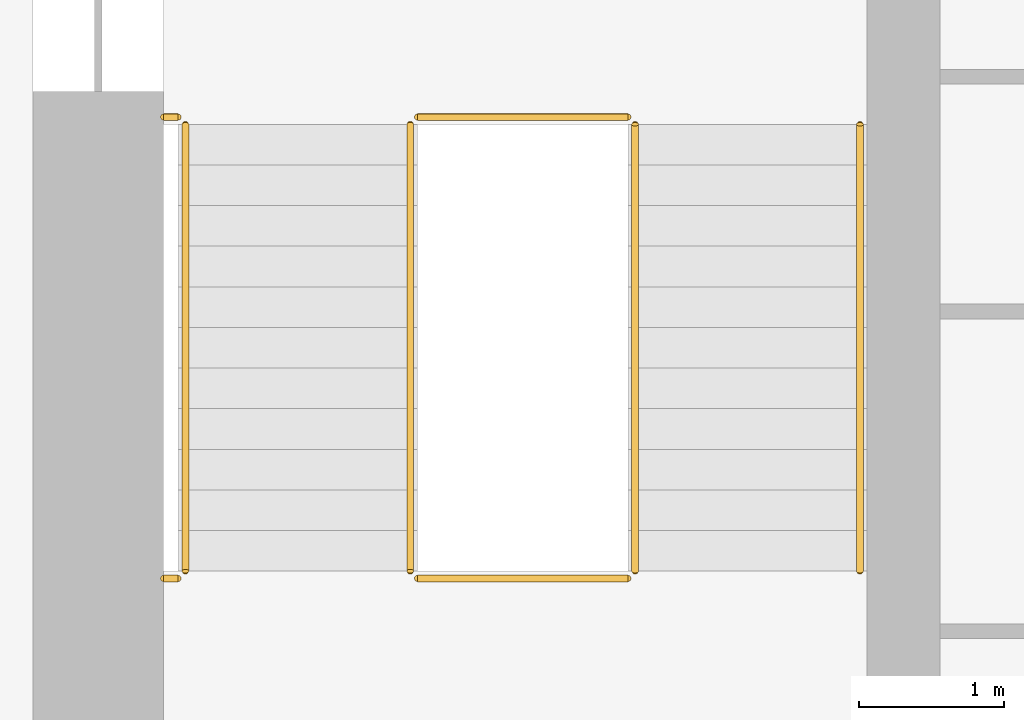
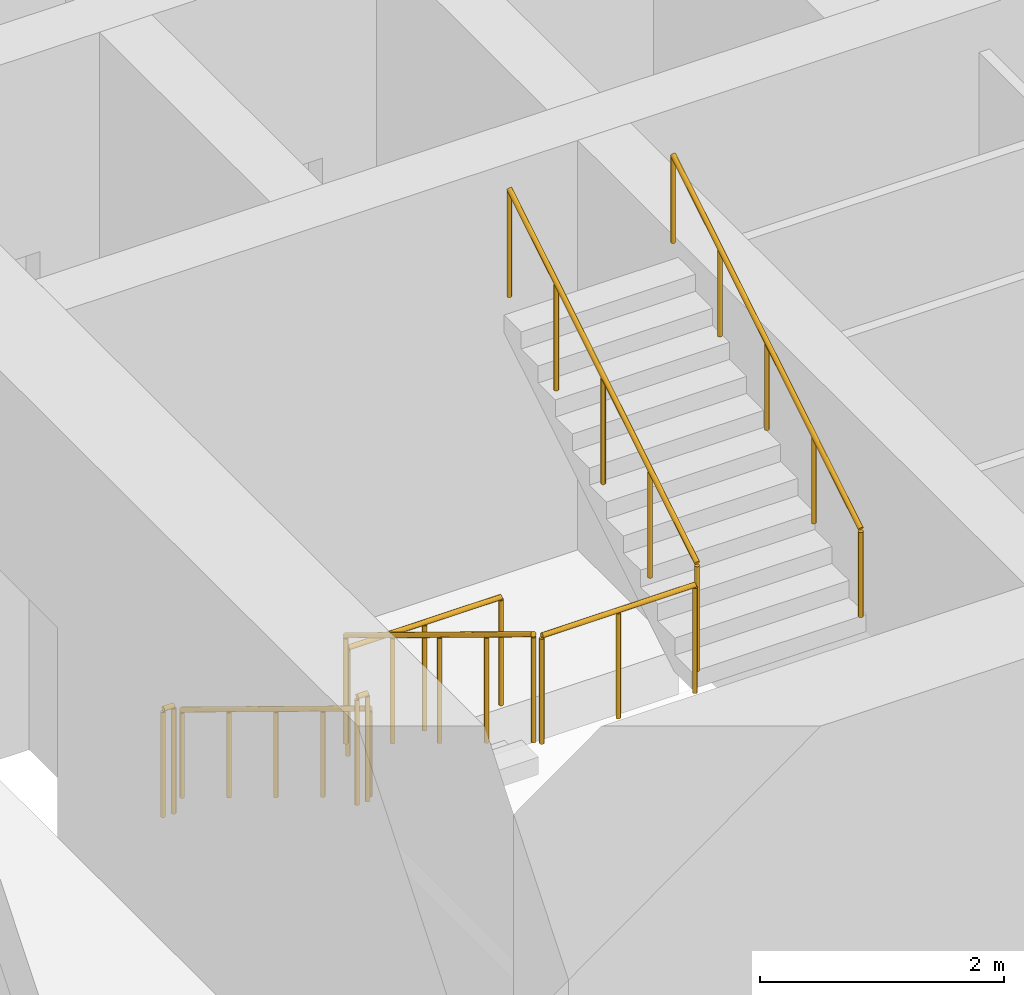
# One storey, part 11 of 19: 8 railings.
"""IFC4 building model written with IfcOpenShell, lengths in metres."""

import ifcopenshell
import ifcopenshell.guid

model = None  # the IFC model being written
_history = None  # IfcOwnerHistory: only IFC2X3 demands one
_inside = {}  # id of a spatial element -> (the spatial element, [elements in it])
_under = {}  # id of a project, library or spatial element -> (it, [spatial elements below it])
_declared = {}  # id of a project -> (the project, [libraries it declares])
_typed = {}  # id of a type object -> (the type object, [elements of that type])
_made_of = {}  # id of a material, layer set ... -> (it, [elements and type objects made of it])


def new_model(schema):
    """Start an empty IFC model of exactly this schema.

    Asked for "IFC4X3", IfcOpenShell would pick the latest addendum, in which some entities
    have other attributes; the version numbers below select the first issue.
    IFC2X3 requires an IfcOwnerHistory on every rooted entity: one is made here for all.
    """
    global model, _history
    if schema == "IFC4X3":
        model = ifcopenshell.file(schema_version=(4, 3, 0, 0))
    else:
        model = ifcopenshell.file(schema=schema)
    _inside.clear()
    _under.clear()
    _declared.clear()
    _typed.clear()
    _made_of.clear()
    _history = None
    if model.schema == "IFC2X3":
        org = make("IfcOrganization", Name="unknown")
        user = make(
            "IfcPersonAndOrganization",
            ThePerson=make("IfcPerson", FamilyName="unknown"),
            TheOrganization=org,
        )
        app = make(
            "IfcApplication",
            ApplicationDeveloper=org,
            Version="unknown",
            ApplicationFullName="unknown",
            ApplicationIdentifier="unknown",
        )
        _history = make(
            "IfcOwnerHistory",
            OwningUser=user,
            OwningApplication=app,
            ChangeAction="ADDED",
            CreationDate=0,
        )
    return model


def make(cls, **values):
    """One entity of the class cls with the attributes given. An attribute that is None is left unset."""
    return model.create_entity(
        cls, **{name: value for name, value in values.items() if value is not None}
    )


def rooted(cls, **values):
    """An entity with a GlobalId (a new one), such as an element, a storey or a relation."""
    return make(cls, GlobalId=ifcopenshell.guid.new(), OwnerHistory=_history, **values)


def si_unit(unit_type, name, prefix=None):
    """IfcSIUnit, for example si_unit("LENGTHUNIT", "METRE", prefix="MILLI")."""
    return make("IfcSIUnit", UnitType=unit_type, Prefix=prefix, Name=name)


def assignment(units):
    """IfcUnitAssignment: the units of a project."""
    return None if units is None else make("IfcUnitAssignment", Units=units)


def point(xyz):
    """IfcCartesianPoint."""
    return None if xyz is None else make("IfcCartesianPoint", Coordinates=xyz)


def direction(xyz):
    """IfcDirection."""
    return None if xyz is None else make("IfcDirection", DirectionRatios=xyz)


def frame(location, z_axis=None, x_axis=None):
    """IfcAxis2Placement3D, a coordinate frame: its origin and axes. An axis left out is left unset."""
    return make(
        "IfcAxis2Placement3D",
        Location=point(location),
        Axis=direction(z_axis),
        RefDirection=direction(x_axis),
    )


def frame_2d(location, x_axis=None):
    """IfcAxis2Placement2D, a coordinate frame in the plane: its origin and x axis."""
    return make(
        "IfcAxis2Placement2D", Location=point(location), RefDirection=direction(x_axis)
    )


def origin():
    """The frame at (0, 0, 0) with its axes left unset."""
    return frame((0.0, 0.0, 0.0))


def origin_2d():
    """The frame at (0, 0) in the plane with its x axis left unset."""
    return frame_2d((0.0, 0.0))


def place(relative_to, where):
    """IfcLocalPlacement: puts the frame where relative to a parent placement (None: the world)."""
    return make(
        "IfcLocalPlacement", PlacementRelTo=relative_to, RelativePlacement=where
    )


def context(
    kind, dimensions, precision=None, world=None, true_north=None, identifier=None
):
    """IfcGeometricRepresentationContext, for example the 3D "Model" context."""
    return make(
        "IfcGeometricRepresentationContext",
        ContextIdentifier=identifier,
        ContextType=kind,
        CoordinateSpaceDimension=dimensions,
        Precision=precision,
        WorldCoordinateSystem=world,
        TrueNorth=true_north,
    )


def subcontext(parent, identifier, kind, view, scale=None):
    """IfcGeometricRepresentationSubContext, for example "Body" below "Model"."""
    return make(
        "IfcGeometricRepresentationSubContext",
        ContextIdentifier=identifier,
        ContextType=kind,
        ParentContext=parent,
        TargetScale=scale,
        TargetView=view,
    )


def project(units=None, contexts=None):
    """IfcProject with its units and contexts."""
    return rooted(
        "IfcProject",
        Name="project",
        RepresentationContexts=contexts,
        UnitsInContext=assignment(units),
    )


def spatial(cls, under=None, at=None, **own):
    """A site, building, storey or space (cls), placed at a placement, below another one or the project."""
    s = rooted(cls, ObjectPlacement=at, **own)
    if under is not None:
        _under.setdefault(under.id(), (under, []))[1].append(s)
    return s


def profile(cls, at=None, kind="AREA", **sizes):
    """A parametric profile (cls). Its sizes go by their IFC names, for example OverallWidth=200.0."""
    return make(cls, ProfileType=kind, Position=at, **sizes)


def circle(**sizes):
    """IfcCircleProfileDef."""
    return profile("IfcCircleProfileDef", **sizes)


def extrude(swept, where, along, depth):
    """IfcExtrudedAreaSolid: the profile swept, set in the frame where, extruded along a direction by depth."""
    return make(
        "IfcExtrudedAreaSolid",
        SweptArea=swept,
        Position=where,
        ExtrudedDirection=direction(along),
        Depth=depth,
    )


def shape(context_of_items, identifier, shape_type, items):
    """IfcShapeRepresentation: the items that make up one representation, for example the "Body"."""
    return make(
        "IfcShapeRepresentation",
        ContextOfItems=context_of_items,
        RepresentationIdentifier=identifier,
        RepresentationType=shape_type,
        Items=items,
    )


def material(Name=None, Category=None):
    """IfcMaterial."""
    return make("IfcMaterial", Name=Name, Category=Category)


def made_of(thing, what):
    """Note that an element or type object is made of a material, layer set ...; save() writes the relation."""
    if what is not None:
        _made_of.setdefault(what.id(), (what, []))[1].append(thing)
    return thing


def type_object(cls, material=None, **own):
    """A type object (cls), such as IfcWallType, which elements share."""
    return made_of(rooted(cls, **own), material)


def element(
    cls,
    number,
    at=None,
    inside=None,
    cuts=None,
    type_object=None,
    material=None,
    context=None,
    identifier="Body",
    shape_type=None,
    held_by="IfcProductDefinitionShape",
    body=None,
    shapes=None,
    **own,
):
    """One element of the class cls, such as IfcWall. Its Tag is "e" and its number.

    at: its placement. inside: the storey or other place that contains it. cuts: it is an
    opening in that element (IfcRelVoidsElement). A single representation is given by context,
    identifier, shape_type and body (its items); several are given by shapes. held_by: the class
    of the entity that holds the representations. save() writes the other relations.
    """
    e = rooted(cls, Tag="e%d" % number, ObjectPlacement=at, **own)
    if body is not None:
        shapes = [shape(context, identifier, shape_type, body)]
    if shapes is not None:
        e.Representation = make(held_by, Representations=shapes)
    if inside is not None:
        _inside.setdefault(inside.id(), (inside, []))[1].append(e)
    if cuts is not None:
        rooted(
            "IfcRelVoidsElement", RelatingBuildingElement=cuts, RelatedOpeningElement=e
        )
    if type_object is not None:
        _typed.setdefault(type_object.id(), (type_object, []))[1].append(e)
    return made_of(e, material)


def aggregate(whole, parts):
    """IfcRelAggregates: a whole, such as a stair, and the parts it consists of."""
    return rooted("IfcRelAggregates", RelatingObject=whole, RelatedObjects=parts)


def save(model, path):
    """Write the relations noted so far, then the file.

    IfcRelAggregates (storeys below a building ...), IfcRelContainedInSpatialStructure (elements
    in a storey), IfcRelDefinesByType, IfcRelAssociatesMaterial and IfcRelDeclares: one each for
    every whole, place, type object, material and project.
    """
    for whole, parts in _under.values():
        aggregate(whole, parts)
    for where, things in _inside.values():
        rooted(
            "IfcRelContainedInSpatialStructure",
            RelatedElements=things,
            RelatingStructure=where,
        )
    for kind, things in _typed.values():
        rooted("IfcRelDefinesByType", RelatedObjects=things, RelatingType=kind)
    for what, things in _made_of.values():
        rooted("IfcRelAssociatesMaterial", RelatedObjects=things, RelatingMaterial=what)
    for by, libraries in _declared.values():
        rooted("IfcRelDeclares", RelatingContext=by, RelatedDefinitions=libraries)
    model.write(path)


model = new_model("IFC4")

# Units and contexts
model_context = context("Model", 3, precision=1e-05, world=origin(), true_north=direction((0.0, 1.0)))
body_context = subcontext(model_context, "Body", "Model", "MODEL_VIEW")
ifc_project = project(units=[si_unit("LENGTHUNIT", "METRE"), si_unit("AREAUNIT", "SQUARE_METRE"), si_unit("VOLUMEUNIT", "CUBIC_METRE"), si_unit("PLANEANGLEUNIT", "RADIAN"), si_unit("MASSUNIT", "GRAM", prefix="KILO")], contexts=[model_context])

# Site, building, storey
site_placement = place(None, origin())
site = spatial("IfcSite", under=ifc_project, at=site_placement, CompositionType="ELEMENT")
building_placement = place(site_placement, origin())
building = spatial("IfcBuilding", under=site, at=building_placement, Name="Corbel Stack Research Tower", CompositionType="ELEMENT")
storey_placement = place(building_placement, frame((0.0, 0.0, 124.89990234375)))
storey = spatial("IfcBuildingStorey", under=building, at=storey_placement, Name="L28", CompositionType="ELEMENT", Elevation=124.89990234375)

# Railings
ifc_material_1 = material(Name="Steel S355", Category="steel")
railing_type_1 = type_object("IfcRailingType", Name="Stair guard 1100", PredefinedType="GUARDRAIL", material=ifc_material_1)
railing_1_placement = place(storey_placement, frame((-7.89990234375, -2.39990234375, 0.1708984375)))
element("IfcRailing", 1, at=railing_1_placement, inside=storey, type_object=railing_type_1, Name="L28 ST-W1 stair guard 1", PredefinedType="GUARDRAIL", context=body_context, shape_type="SweptSolid", body=[
    extrude(circle(Radius=0.02392578125, at=origin_2d()), frame((0.0, 0.0, 1.076171875), z_axis=(0.0, -0.853666305674, 0.52082035152), x_axis=(1.0, 0.0, 0.0)), (0.0, 0.0, 1.0), 3.608154296875),
    extrude(circle(Radius=0.02099609375, at=origin_2d()), origin(), (0.0, 0.0, 1.0), 1.052001953125),
    extrude(circle(Radius=0.02099609375, at=origin_2d()), frame((0.0, -0.77001953125, 0.4697265625)), (0.0, 0.0, 1.0), 1.052001953125),
    extrude(circle(Radius=0.02099609375, at=origin_2d()), frame((0.0, -1.5400390625, 0.939453125)), (0.0, 0.0, 1.0), 1.052001953125),
    extrude(circle(Radius=0.02099609375, at=origin_2d()), frame((0.0, -2.31005859375, 1.409423828125)), (0.0, 0.0, 1.0), 1.052001953125),
    extrude(circle(Radius=0.02099609375, at=origin_2d()), frame((0.0, -3.080078125, 1.879150390625)), (0.0, 0.0, 1.0), 1.052001953125),
])
railing_2_placement = place(storey_placement, frame((-7.85009765625, -5.530029296875, 2.050048828125)))
element("IfcRailing", 2, at=railing_2_placement, inside=storey, type_object=railing_type_1, Name="L28 ST-W1 stair guard 2", PredefinedType="GUARDRAIL", context=body_context, shape_type="SweptSolid", body=[
    extrude(circle(Radius=0.02392578125, at=origin_2d()), frame((0.0, 0.0, 1.076171875), z_axis=(1.0, 0.0, 0.0), x_axis=(0.0, 1.0, 0.0)), (0.0, 0.0, 1.0), 1.4501953125),
    extrude(circle(Radius=0.02099609375, at=origin_2d()), origin(), (0.0, 0.0, 1.0), 1.052001953125),
    extrude(circle(Radius=0.02099609375, at=origin_2d()), frame((0.72509765625, 0.0, 0.0)), (0.0, 0.0, 1.0), 1.052001953125),
    extrude(circle(Radius=0.02099609375, at=origin_2d()), frame((1.4501953125, 0.0, 0.0)), (0.0, 0.0, 1.0), 1.052001953125),
])
railing_3_placement = place(storey_placement, frame((-9.60009765625, -5.530029296875, 2.050048828125)))
element("IfcRailing", 3, at=railing_3_placement, inside=storey, type_object=railing_type_1, Name="L28 ST-W1 stair guard 3", PredefinedType="GUARDRAIL", context=body_context, shape_type="SweptSolid", body=[
    extrude(circle(Radius=0.02392578125, at=origin_2d()), frame((0.0, 0.0, 1.076171875), z_axis=(1.0, 0.0, 0.0), x_axis=(0.0, 1.0, 0.0)), (0.0, 0.0, 1.0), 0.10009765625),
    extrude(circle(Radius=0.02099609375, at=origin_2d()), origin(), (0.0, 0.0, 1.0), 1.052001953125),
    extrude(circle(Radius=0.02099609375, at=origin_2d()), frame((0.10009765625, 0.0, 0.0)), (0.0, 0.0, 1.0), 1.052001953125),
])
railing_4_placement = place(storey_placement, frame((-6.35009765625, -5.47998046875, 2.220947265625)))
element("IfcRailing", 4, at=railing_4_placement, inside=storey, type_object=railing_type_1, Name="L28 ST-W1 stair guard 4", PredefinedType="GUARDRAIL", context=body_context, shape_type="SweptSolid", body=[
    extrude(circle(Radius=0.02392578125, at=origin_2d()), frame((0.0, 0.0, 1.076171875), z_axis=(0.0, 0.853666305674, 0.52082035152), x_axis=(-1.0, 0.0, 0.0)), (0.0, 0.0, 1.0), 3.608154296875),
    extrude(circle(Radius=0.02099609375, at=origin_2d()), origin(), (0.0, 0.0, 1.0), 1.052001953125),
    extrude(circle(Radius=0.02099609375, at=origin_2d()), frame((0.0, 0.77001953125, 0.4697265625)), (0.0, 0.0, 1.0), 1.052001953125),
    extrude(circle(Radius=0.02099609375, at=origin_2d()), frame((0.0, 1.5400390625, 0.939453125)), (0.0, 0.0, 1.0), 1.052001953125),
    extrude(circle(Radius=0.02099609375, at=origin_2d()), frame((0.0, 2.31005859375, 1.409423828125)), (0.0, 0.0, 1.0), 1.052001953125),
    extrude(circle(Radius=0.02099609375, at=origin_2d()), frame((0.0, 3.080078125, 1.879150390625)), (0.0, 0.0, 1.0), 1.052001953125),
])
railing_5_placement = place(storey_placement, frame((-7.85009765625, -2.35009765625, 0.0)))
element("IfcRailing", 5, at=railing_5_placement, inside=storey, type_object=railing_type_1, Name="L28 ST-W1 stair guard 5", PredefinedType="GUARDRAIL", context=body_context, shape_type="SweptSolid", body=[
    extrude(circle(Radius=0.02392578125, at=origin_2d()), frame((0.0, 0.0, 1.076171875), z_axis=(1.0, 0.0, 0.0), x_axis=(0.0, 1.0, 0.0)), (0.0, 0.0, 1.0), 1.4501953125),
    extrude(circle(Radius=0.02099609375, at=origin_2d()), origin(), (0.0, 0.0, 1.0), 1.052001953125),
    extrude(circle(Radius=0.02099609375, at=origin_2d()), frame((0.72509765625, 0.0, 0.0)), (0.0, 0.0, 1.0), 1.052001953125),
    extrude(circle(Radius=0.02099609375, at=origin_2d()), frame((1.4501953125, 0.0, 0.0)), (0.0, 0.0, 1.0), 1.052001953125),
])
railing_6_placement = place(storey_placement, frame((-9.60009765625, -2.35009765625, 0.0)))
element("IfcRailing", 6, at=railing_6_placement, inside=storey, type_object=railing_type_1, Name="L28 ST-W1 stair guard 6", PredefinedType="GUARDRAIL", context=body_context, shape_type="SweptSolid", body=[
    extrude(circle(Radius=0.02392578125, at=origin_2d()), frame((0.0, 0.0, 1.076171875), z_axis=(1.0, 0.0, 0.0), x_axis=(0.0, 1.0, 0.0)), (0.0, 0.0, 1.0), 0.10009765625),
    extrude(circle(Radius=0.02099609375, at=origin_2d()), origin(), (0.0, 0.0, 1.0), 1.052001953125),
    extrude(circle(Radius=0.02099609375, at=origin_2d()), frame((0.10009765625, 0.0, 0.0)), (0.0, 0.0, 1.0), 1.052001953125),
])
ifc_material_2 = material(Name="Steel S355", Category="steel")
railing_type_2 = type_object("IfcRailingType", Name="Stair handrail 900", PredefinedType="HANDRAIL", material=ifc_material_2)
railing_7_placement = place(storey_placement, frame((-9.449951171875, -2.39990234375, 0.1708984375)))
element("IfcRailing", 7, at=railing_7_placement, inside=storey, type_object=railing_type_2, Name="L28 ST-W1 stair handrail 1", PredefinedType="HANDRAIL", context=body_context, shape_type="SweptSolid", body=[
    extrude(circle(Radius=0.02392578125, at=origin_2d()), frame((0.0, 0.0, 0.8759765625), z_axis=(0.0, -0.853666305674, 0.52082035152), x_axis=(1.0, 0.0, 0.0)), (0.0, 0.0, 1.0), 3.608154296875),
    extrude(circle(Radius=0.02099609375, at=origin_2d()), origin(), (0.0, 0.0, 1.0), 0.851806640625),
    extrude(circle(Radius=0.02099609375, at=origin_2d()), frame((0.0, -0.77001953125, 0.4697265625)), (0.0, 0.0, 1.0), 0.851806640625),
    extrude(circle(Radius=0.02099609375, at=origin_2d()), frame((0.0, -1.5400390625, 0.939453125)), (0.0, 0.0, 1.0), 0.851806640625),
    extrude(circle(Radius=0.02099609375, at=origin_2d()), frame((0.0, -2.31005859375, 1.409423828125)), (0.0, 0.0, 1.0), 0.851806640625),
    extrude(circle(Radius=0.02099609375, at=origin_2d()), frame((0.0, -3.080078125, 1.879150390625)), (0.0, 0.0, 1.0), 0.851806640625),
])
railing_8_placement = place(storey_placement, frame((-4.800048828125, -5.47998046875, 2.220947265625)))
element("IfcRailing", 8, at=railing_8_placement, inside=storey, type_object=railing_type_2, Name="L28 ST-W1 stair handrail 2", PredefinedType="HANDRAIL", context=body_context, shape_type="SweptSolid", body=[
    extrude(circle(Radius=0.02392578125, at=origin_2d()), frame((0.0, 0.0, 0.8759765625), z_axis=(0.0, 0.853666305674, 0.52082035152), x_axis=(-1.0, 0.0, 0.0)), (0.0, 0.0, 1.0), 3.608154296875),
    extrude(circle(Radius=0.02099609375, at=origin_2d()), origin(), (0.0, 0.0, 1.0), 0.851806640625),
    extrude(circle(Radius=0.02099609375, at=origin_2d()), frame((0.0, 0.77001953125, 0.4697265625)), (0.0, 0.0, 1.0), 0.851806640625),
    extrude(circle(Radius=0.02099609375, at=origin_2d()), frame((0.0, 1.5400390625, 0.939453125)), (0.0, 0.0, 1.0), 0.851806640625),
    extrude(circle(Radius=0.02099609375, at=origin_2d()), frame((0.0, 2.31005859375, 1.409423828125)), (0.0, 0.0, 1.0), 0.851806640625),
    extrude(circle(Radius=0.02099609375, at=origin_2d()), frame((0.0, 3.080078125, 1.879150390625)), (0.0, 0.0, 1.0), 0.851806640625),
])

save(model, "model.ifc")
